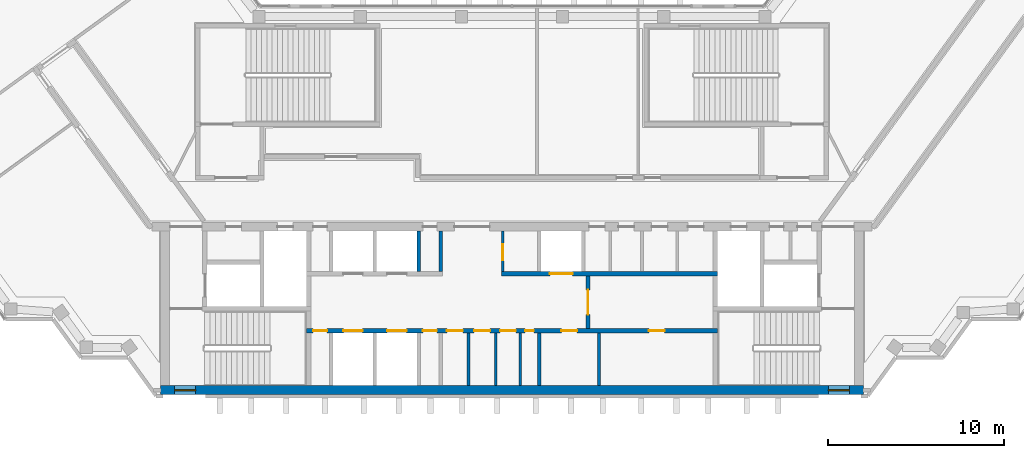
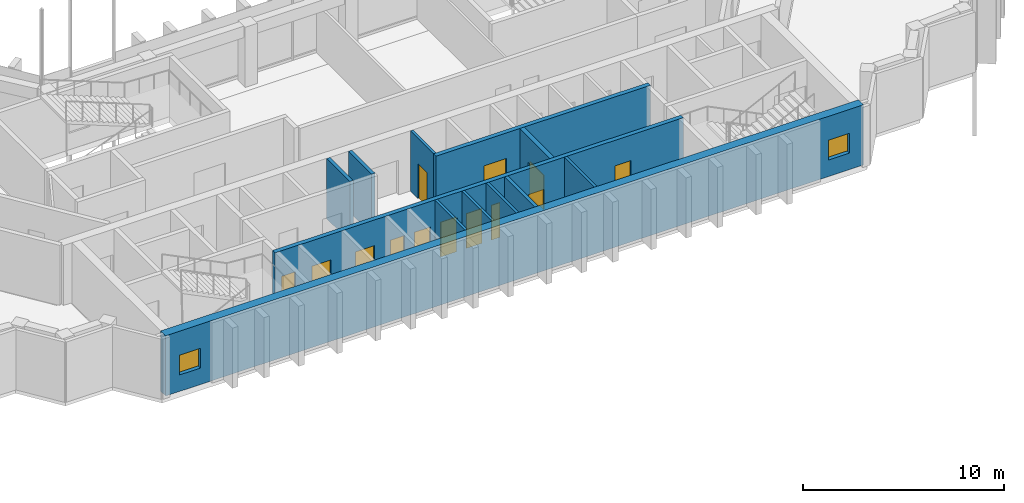
# One storey, part 9 of 13: 13 doors, 12 walls, 2 windows, 15 openings.
"""IFC4 building model written with IfcOpenShell, lengths in metres."""

from ifc_helpers import new_model, si_unit, direction, frame, frame_2d, origin, place, context, subcontext, project, spatial, rectangle, extrude, material, layer, layer_set, type_object, element, fill, save


model = new_model("IFC4")

# Units and contexts
model_context = context("Model", 3, precision=1e-05, world=origin(), true_north=direction((0.0, 1.0)))
body_context = subcontext(model_context, "Body", "Model", "MODEL_VIEW")
ifc_project = project(units=[si_unit("LENGTHUNIT", "METRE"), si_unit("AREAUNIT", "SQUARE_METRE"), si_unit("VOLUMEUNIT", "CUBIC_METRE"), si_unit("PLANEANGLEUNIT", "RADIAN"), si_unit("MASSUNIT", "GRAM", prefix="KILO")], contexts=[model_context])

# Site, building, storey
site_placement = place(None, origin())
site = spatial("IfcSite", under=ifc_project, at=site_placement, CompositionType="ELEMENT")
building_placement = place(site_placement, origin())
building = spatial("IfcBuilding", under=site, at=building_placement, Name="Quipu Civic Tower", CompositionType="ELEMENT")
storey_placement = place(building_placement, frame((0.0, 0.0, 285.0)))
storey = spatial("IfcBuildingStorey", under=building, at=storey_placement, Name="L66", CompositionType="ELEMENT", Elevation=285.0)

# Wall, openings, doors
ifc_material_1 = material(Name="Concrete C70/85", Category="concrete")
ifc_layer_1 = layer(ifc_material_1, 0.25)
ifc_layer_set_1 = layer_set([ifc_layer_1], Name="Concrete C70/85")
wall_type_1 = type_object("IfcWallType", Name="Core wall 250", PredefinedType="SHEAR", material=ifc_layer_set_1)
wall_1_placement = place(storey_placement, frame((11.699951171875, -7.375, 0.0), z_axis=(0.0, 0.0, 1.0), x_axis=(-1.0, 0.0, 0.0)))
wall_1 = element("IfcWall", 1, at=wall_1_placement, inside=storey, type_object=wall_type_1, Name="Core wall", PredefinedType="SHEAR", context=body_context, shape_type="SweptSolid", body=[
    extrude(rectangle(XDim=23.39990234375, YDim=0.25, at=frame_2d((11.699951171875, 0.0))), origin(), (0.0, 0.0, 1.0), 3.64990234375),
])
opening_1_placement = place(wall_1_placement, frame((22.22509765625, 0.0, 0.0)))
opening_1 = element("IfcOpeningElement", 2, at=opening_1_placement, cuts=wall_1, Name="Opening CD-01", PredefinedType="OPENING", context=body_context, shape_type="SweptSolid", body=[
    extrude(rectangle(XDim=0.800048828125, YDim=2.10009765625, at=frame_2d((0.39990234375, 1.050048828125))), frame((0.0, 0.135009765625, 0.0), z_axis=(0.0, -1.0, 0.0), x_axis=(1.0, 0.0, 0.0)), (0.0, 0.0, 1.0), 0.27001953125),
])
opening_2_placement = place(wall_1_placement, frame((20.199951171875, 0.0, 0.0)))
opening_2 = element("IfcOpeningElement", 3, at=opening_2_placement, cuts=wall_1, Name="Opening LD-HL1", PredefinedType="OPENING", context=body_context, shape_type="SweptSolid", body=[
    extrude(rectangle(XDim=1.10009765625, YDim=2.10009765625, at=frame_2d((0.550048828125, 1.050048828125))), frame((0.0, 0.135009765625, 0.0), z_axis=(0.0, -1.0, 0.0), x_axis=(1.0, 0.0, 0.0)), (0.0, 0.0, 1.0), 0.27001953125),
])
opening_3_placement = place(wall_1_placement, frame((17.699951171875, 0.0, 0.0)))
opening_3 = element("IfcOpeningElement", 4, at=opening_3_placement, cuts=wall_1, Name="Opening LD-HL2", PredefinedType="OPENING", context=body_context, shape_type="SweptSolid", body=[
    extrude(rectangle(XDim=1.10009765625, YDim=2.10009765625, at=frame_2d((0.550048828125, 1.050048828125))), frame((0.0, 0.135009765625, 0.0), z_axis=(0.0, -1.0, 0.0), x_axis=(1.0, 0.0, 0.0)), (0.0, 0.0, 1.0), 0.27001953125),
])
opening_4_placement = place(wall_1_placement, frame((15.97509765625, 0.0, 0.0)))
opening_4 = element("IfcOpeningElement", 5, at=opening_4_placement, cuts=wall_1, Name="Opening CD-02", PredefinedType="OPENING", context=body_context, shape_type="SweptSolid", body=[
    extrude(rectangle(XDim=0.800048828125, YDim=2.10009765625, at=frame_2d((0.39990234375, 1.050048828125))), frame((0.0, 0.135009765625, 0.0), z_axis=(0.0, -1.0, 0.0), x_axis=(1.0, 0.0, 0.0)), (0.0, 0.0, 1.0), 0.27001953125),
])
opening_5_placement = place(wall_1_placement, frame((14.5, 0.0, 0.0)))
opening_5 = element("IfcOpeningElement", 6, at=opening_5_placement, cuts=wall_1, Name="Opening CD-03", PredefinedType="OPENING", context=body_context, shape_type="SweptSolid", body=[
    extrude(rectangle(XDim=0.89990234375, YDim=2.10009765625, at=frame_2d((0.449951171875, 1.050048828125))), frame((0.0, 0.135009765625, 0.0), z_axis=(0.0, -1.0, 0.0), x_axis=(1.0, 0.0, 0.0)), (0.0, 0.0, 1.0), 0.27001953125),
])
opening_6_placement = place(wall_1_placement, frame((12.949951171875, 0.0, 0.0)))
opening_6 = element("IfcOpeningElement", 7, at=opening_6_placement, cuts=wall_1, Name="Opening CD-04", PredefinedType="OPENING", context=body_context, shape_type="SweptSolid", body=[
    extrude(rectangle(XDim=0.89990234375, YDim=2.10009765625, at=frame_2d((0.449951171875, 1.050048828125))), frame((0.0, 0.135009765625, 0.0), z_axis=(0.0, -1.0, 0.0), x_axis=(1.0, 0.0, 0.0)), (0.0, 0.0, 1.0), 0.27001953125),
])
opening_7_placement = place(wall_1_placement, frame((11.47509765625, 0.0, 0.0)))
opening_7 = element("IfcOpeningElement", 8, at=opening_7_placement, cuts=wall_1, Name="Opening CD-05", PredefinedType="OPENING", context=body_context, shape_type="SweptSolid", body=[
    extrude(rectangle(XDim=0.89990234375, YDim=2.10009765625, at=frame_2d((0.449951171875, 1.050048828125))), frame((0.0, 0.135009765625, 0.0), z_axis=(0.0, -1.0, 0.0), x_axis=(1.0, 0.0, 0.0)), (0.0, 0.0, 1.0), 0.27001953125),
])
opening_8_placement = place(wall_1_placement, frame((10.449951171875, 0.0, 0.0)))
opening_8 = element("IfcOpeningElement", 9, at=opening_8_placement, cuts=wall_1, Name="Opening CD-06", PredefinedType="OPENING", context=body_context, shape_type="SweptSolid", body=[
    extrude(rectangle(XDim=0.5, YDim=2.10009765625, at=frame_2d((0.25, 1.050048828125))), frame((0.0, 0.135009765625, 0.0), z_axis=(0.0, -1.0, 0.0), x_axis=(1.0, 0.0, 0.0)), (0.0, 0.0, 1.0), 0.27001953125),
])
opening_9_placement = place(wall_1_placement, frame((7.987060546875, 0.0, 0.0)))
opening_9 = element("IfcOpeningElement", 10, at=opening_9_placement, cuts=wall_1, Name="Opening CD-07", PredefinedType="OPENING", context=body_context, shape_type="SweptSolid", body=[
    extrude(rectangle(XDim=0.89990234375, YDim=2.10009765625, at=frame_2d((0.449951171875, 1.050048828125))), frame((0.0, 0.135009765625, 0.0), z_axis=(0.0, -1.0, 0.0), x_axis=(1.0, 0.0, 0.0)), (0.0, 0.0, 1.0), 0.27001953125),
])
opening_10_placement = place(wall_1_placement, frame((3.011962890625, 0.0, 0.0)))
opening_10 = element("IfcOpeningElement", 11, at=opening_10_placement, cuts=wall_1, Name="Opening CD-08", PredefinedType="OPENING", context=body_context, shape_type="SweptSolid", body=[
    extrude(rectangle(XDim=0.89990234375, YDim=2.10009765625, at=frame_2d((0.449951171875, 1.050048828125))), frame((0.0, 0.135009765625, 0.0), z_axis=(0.0, -1.0, 0.0), x_axis=(1.0, 0.0, 0.0)), (0.0, 0.0, 1.0), 0.27001953125),
])
ifc_material_2 = material(Name="Fire rated steel door", Category="steel")
door_type_1 = type_object("IfcDoorType", Name="Fire door FD60 500 x 2100", OperationType="NOTDEFINED", PredefinedType="DOOR", material=ifc_material_2)
door_1_placement = place(opening_8_placement, origin())
door_1 = element("IfcDoor", 12, at=door_1_placement, inside=storey, type_object=door_type_1, Name="Door", OperationType="SINGLE_SWING_LEFT", OverallHeight=2.10009765625, OverallWidth=0.5, PredefinedType="DOOR", context=body_context, shape_type="SweptSolid", body=[
    extrude(rectangle(XDim=0.5, YDim=2.10009765625, at=frame_2d((0.25, 1.050048828125))), frame((0.0, 0.02490234375, 0.0), z_axis=(0.0, -1.0, 0.0), x_axis=(1.0, 0.0, 0.0)), (0.0, 0.0, 1.0), 0.050048828125),
])
fill(opening_8, door_1)
ifc_material_3 = material(Name="Fire rated steel door", Category="steel")
door_type_2 = type_object("IfcDoorType", Name="Fire door FD60 800 x 2100", OperationType="NOTDEFINED", PredefinedType="DOOR", material=ifc_material_3)
door_2_placement = place(opening_1_placement, origin())
door_2 = element("IfcDoor", 13, at=door_2_placement, inside=storey, type_object=door_type_2, Name="Door", OperationType="SINGLE_SWING_RIGHT", OverallHeight=2.10009765625, OverallWidth=0.800048828125, PredefinedType="DOOR", context=body_context, shape_type="SweptSolid", body=[
    extrude(rectangle(XDim=0.800048828125, YDim=2.10009765625, at=frame_2d((0.39990234375, 1.050048828125))), frame((0.0, 0.02490234375, 0.0), z_axis=(0.0, -1.0, 0.0), x_axis=(1.0, 0.0, 0.0)), (0.0, 0.0, 1.0), 0.050048828125),
])
fill(opening_1, door_2)
door_3_placement = place(opening_4_placement, origin())
door_3 = element("IfcDoor", 14, at=door_3_placement, inside=storey, type_object=door_type_2, Name="Door", OperationType="SINGLE_SWING_RIGHT", OverallHeight=2.10009765625, OverallWidth=0.800048828125, PredefinedType="DOOR", context=body_context, shape_type="SweptSolid", body=[
    extrude(rectangle(XDim=0.800048828125, YDim=2.10009765625, at=frame_2d((0.39990234375, 1.050048828125))), frame((0.0, 0.02490234375, 0.0), z_axis=(0.0, -1.0, 0.0), x_axis=(1.0, 0.0, 0.0)), (0.0, 0.0, 1.0), 0.050048828125),
])
fill(opening_4, door_3)
ifc_material_4 = material(Name="Fire rated steel door", Category="steel")
door_type_3 = type_object("IfcDoorType", Name="Fire door FD60 900 x 2100", OperationType="NOTDEFINED", PredefinedType="DOOR", material=ifc_material_4)
door_4_placement = place(opening_5_placement, origin())
door_4 = element("IfcDoor", 15, at=door_4_placement, inside=storey, type_object=door_type_3, Name="WC door", OperationType="SINGLE_SWING_RIGHT", OverallHeight=2.10009765625, OverallWidth=0.89990234375, PredefinedType="DOOR", context=body_context, shape_type="SweptSolid", body=[
    extrude(rectangle(XDim=0.89990234375, YDim=2.10009765625, at=frame_2d((0.449951171875, 1.050048828125))), frame((0.0, 0.02490234375, 0.0), z_axis=(0.0, -1.0, 0.0), x_axis=(1.0, 0.0, 0.0)), (0.0, 0.0, 1.0), 0.050048828125),
])
fill(opening_5, door_4)
door_5_placement = place(opening_6_placement, origin())
door_5 = element("IfcDoor", 16, at=door_5_placement, inside=storey, type_object=door_type_3, Name="WC door", OperationType="SINGLE_SWING_RIGHT", OverallHeight=2.10009765625, OverallWidth=0.89990234375, PredefinedType="DOOR", context=body_context, shape_type="SweptSolid", body=[
    extrude(rectangle(XDim=0.89990234375, YDim=2.10009765625, at=frame_2d((0.449951171875, 1.050048828125))), frame((0.0, 0.02490234375, 0.0), z_axis=(0.0, -1.0, 0.0), x_axis=(1.0, 0.0, 0.0)), (0.0, 0.0, 1.0), 0.050048828125),
])
fill(opening_6, door_5)
door_6_placement = place(opening_7_placement, origin())
door_6 = element("IfcDoor", 17, at=door_6_placement, inside=storey, type_object=door_type_3, Name="WC door", OperationType="SINGLE_SWING_RIGHT", OverallHeight=2.10009765625, OverallWidth=0.89990234375, PredefinedType="DOOR", context=body_context, shape_type="SweptSolid", body=[
    extrude(rectangle(XDim=0.89990234375, YDim=2.10009765625, at=frame_2d((0.449951171875, 1.050048828125))), frame((0.0, 0.02490234375, 0.0), z_axis=(0.0, -1.0, 0.0), x_axis=(1.0, 0.0, 0.0)), (0.0, 0.0, 1.0), 0.050048828125),
])
fill(opening_7, door_6)
door_7_placement = place(opening_9_placement, origin())
door_7 = element("IfcDoor", 18, at=door_7_placement, inside=storey, type_object=door_type_3, Name="Door", OperationType="SINGLE_SWING_LEFT", OverallHeight=2.10009765625, OverallWidth=0.89990234375, PredefinedType="DOOR", context=body_context, shape_type="SweptSolid", body=[
    extrude(rectangle(XDim=0.89990234375, YDim=2.10009765625, at=frame_2d((0.449951171875, 1.050048828125))), frame((0.0, 0.02490234375, 0.0), z_axis=(0.0, -1.0, 0.0), x_axis=(1.0, 0.0, 0.0)), (0.0, 0.0, 1.0), 0.050048828125),
])
fill(opening_9, door_7)
door_8_placement = place(opening_10_placement, origin())
door_8 = element("IfcDoor", 19, at=door_8_placement, inside=storey, type_object=door_type_3, Name="Door", OperationType="SINGLE_SWING_LEFT", OverallHeight=2.10009765625, OverallWidth=0.89990234375, PredefinedType="DOOR", context=body_context, shape_type="SweptSolid", body=[
    extrude(rectangle(XDim=0.89990234375, YDim=2.10009765625, at=frame_2d((0.449951171875, 1.050048828125))), frame((0.0, 0.02490234375, 0.0), z_axis=(0.0, -1.0, 0.0), x_axis=(1.0, 0.0, 0.0)), (0.0, 0.0, 1.0), 0.050048828125),
])
fill(opening_10, door_8)
ifc_material_5 = material(Name="Stainless steel", Category="steel")
door_type_4 = type_object("IfcDoorType", Name="Lift landing door 1100 x 2100", OperationType="DOUBLE_DOOR_SLIDING", PredefinedType="DOOR", material=ifc_material_5)
door_9_placement = place(opening_2_placement, origin())
door_9 = element("IfcDoor", 20, at=door_9_placement, inside=storey, type_object=door_type_4, Name="Landing door HL1", OperationType="DOUBLE_DOOR_SLIDING", OverallHeight=2.10009765625, OverallWidth=1.10009765625, PredefinedType="DOOR", context=body_context, shape_type="SweptSolid", body=[
    extrude(rectangle(XDim=1.10009765625, YDim=2.10009765625, at=frame_2d((0.550048828125, 1.050048828125))), frame((0.0, 0.02490234375, 0.0), z_axis=(0.0, -1.0, 0.0), x_axis=(1.0, 0.0, 0.0)), (0.0, 0.0, 1.0), 0.050048828125),
])
fill(opening_2, door_9)
door_10_placement = place(opening_3_placement, origin())
door_10 = element("IfcDoor", 21, at=door_10_placement, inside=storey, type_object=door_type_4, Name="Landing door HL2", OperationType="DOUBLE_DOOR_SLIDING", OverallHeight=2.10009765625, OverallWidth=1.10009765625, PredefinedType="DOOR", context=body_context, shape_type="SweptSolid", body=[
    extrude(rectangle(XDim=1.10009765625, YDim=2.10009765625, at=frame_2d((0.550048828125, 1.050048828125))), frame((0.0, 0.02490234375, 0.0), z_axis=(0.0, -1.0, 0.0), x_axis=(1.0, 0.0, 0.0)), (0.0, 0.0, 1.0), 0.050048828125),
])
fill(opening_3, door_10)

# Wall, opening, door
wall_2_placement = place(storey_placement, frame((4.324951171875, -7.25, 0.0), z_axis=(0.0, 0.0, 1.0), x_axis=(0.0, 1.0, 0.0)))
wall_2 = element("IfcWall", 22, at=wall_2_placement, inside=storey, type_object=wall_type_1, Name="Core wall", PredefinedType="SHEAR", context=body_context, shape_type="SweptSolid", body=[
    extrude(rectangle(XDim=3.0, YDim=0.25, at=frame_2d((1.5, 0.0))), origin(), (0.0, 0.0, 1.0), 3.64990234375),
])
opening_11_placement = place(wall_2_placement, frame((0.800048828125, 0.0, 0.0)))
opening_11 = element("IfcOpeningElement", 23, at=opening_11_placement, cuts=wall_2, Name="Opening CD-11", PredefinedType="OPENING", context=body_context, shape_type="SweptSolid", body=[
    extrude(rectangle(XDim=1.39990234375, YDim=2.10009765625, at=frame_2d((0.699951171875, 1.050048828125))), frame((0.0, 0.135009765625, 0.0), z_axis=(0.0, -1.0, 0.0), x_axis=(1.0, 0.0, 0.0)), (0.0, 0.0, 1.0), 0.27001953125),
])
ifc_material_6 = material(Name="Fire rated steel door", Category="steel")
door_type_5 = type_object("IfcDoorType", Name="Fire door FD60 double 1400 x 2100", OperationType="NOTDEFINED", PredefinedType="DOOR", material=ifc_material_6)
door_11_placement = place(opening_11_placement, origin())
door_11 = element("IfcDoor", 24, at=door_11_placement, inside=storey, type_object=door_type_5, Name="Hall door", OperationType="DOUBLE_DOOR_SINGLE_SWING", OverallHeight=2.10009765625, OverallWidth=1.39990234375, PredefinedType="DOOR", context=body_context, shape_type="SweptSolid", body=[
    extrude(rectangle(XDim=1.39990234375, YDim=2.10009765625, at=frame_2d((0.699951171875, 1.050048828125))), frame((0.0, 0.02490234375, 0.0), z_axis=(0.0, -1.0, 0.0), x_axis=(1.0, 0.0, 0.0)), (0.0, 0.0, 1.0), 0.050048828125),
])
fill(opening_11, door_11)

wall_3_placement = place(storey_placement, frame((-0.60009765625, -4.125, 0.0), z_axis=(0.0, 0.0, 1.0), x_axis=(1.0, 0.0, 0.0)))
wall_3 = element("IfcWall", 25, at=wall_3_placement, inside=storey, type_object=wall_type_1, Name="Core wall", PredefinedType="SHEAR", context=body_context, shape_type="SweptSolid", body=[
    extrude(rectangle(XDim=12.300048828125, YDim=0.25, at=frame_2d((6.14990234375, 0.0))), origin(), (0.0, 0.0, 1.0), 3.64990234375),
])
opening_12_placement = place(wall_3_placement, frame((2.75, 0.0, 0.0)))
opening_12 = element("IfcOpeningElement", 26, at=opening_12_placement, cuts=wall_3, Name="Opening LD-FF3", PredefinedType="OPENING", context=body_context, shape_type="SweptSolid", body=[
    extrude(rectangle(XDim=1.300048828125, YDim=2.10009765625, at=frame_2d((0.64990234375, 1.050048828125))), frame((0.0, 0.135009765625, 0.0), z_axis=(0.0, -1.0, 0.0), x_axis=(1.0, 0.0, 0.0)), (0.0, 0.0, 1.0), 0.27001953125),
])
ifc_material_7 = material(Name="Stainless steel", Category="steel")
door_type_6 = type_object("IfcDoorType", Name="Lift landing door 1300 x 2100", OperationType="DOUBLE_DOOR_SLIDING", PredefinedType="DOOR", material=ifc_material_7)
door_12_placement = place(opening_12_placement, origin())
door_12 = element("IfcDoor", 27, at=door_12_placement, inside=storey, type_object=door_type_6, Name="Landing door FF3", OperationType="DOUBLE_DOOR_SLIDING", OverallHeight=2.10009765625, OverallWidth=1.300048828125, PredefinedType="DOOR", context=body_context, shape_type="SweptSolid", body=[
    extrude(rectangle(XDim=1.300048828125, YDim=2.10009765625, at=frame_2d((0.64990234375, 1.050048828125))), frame((0.0, 0.02490234375, 0.0), z_axis=(0.0, -1.0, 0.0), x_axis=(1.0, 0.0, 0.0)), (0.0, 0.0, 1.0), 0.050048828125),
])
fill(opening_12, door_12)

# Wall, openings, windows
ifc_material_8 = material(Name="Concrete C70/85", Category="concrete")
ifc_layer_2 = layer(ifc_material_8, 0.5)
ifc_layer_set_2 = layer_set([ifc_layer_2], Name="Concrete C70/85")
wall_type_2 = type_object("IfcWallType", Name="Core wall 500", PredefinedType="SHEAR", material=ifc_layer_set_2)
wall_4_placement = place(storey_placement, frame((-20.0, -10.75, 0.0), z_axis=(0.0, 0.0, 1.0), x_axis=(1.0, 0.0, 0.0)))
wall_4 = element("IfcWall", 28, at=wall_4_placement, inside=storey, type_object=wall_type_2, Name="Core wall", PredefinedType="SHEAR", context=body_context, shape_type="SweptSolid", body=[
    extrude(rectangle(XDim=40.0, YDim=0.5, at=frame_2d((20.0, 0.0))), origin(), (0.0, 0.0, 1.0), 3.64990234375),
])
opening_13_placement = place(wall_4_placement, frame((0.800048828125, 0.0, 1.0)))
opening_13 = element("IfcOpeningElement", 29, at=opening_13_placement, cuts=wall_4, Name="Opening SV-1", PredefinedType="OPENING", context=body_context, shape_type="SweptSolid", body=[
    extrude(rectangle(XDim=1.199951171875, YDim=1.199951171875, at=frame_2d((0.60009765625, 0.60009765625))), frame((0.0, 0.260009765625, 0.0), z_axis=(0.0, -1.0, 0.0), x_axis=(1.0, 0.0, 0.0)), (0.0, 0.0, 1.0), 0.52001953125),
])
opening_14_placement = place(wall_4_placement, frame((38.0, 0.0, 1.0)))
opening_14 = element("IfcOpeningElement", 30, at=opening_14_placement, cuts=wall_4, Name="Opening SV-2", PredefinedType="OPENING", context=body_context, shape_type="SweptSolid", body=[
    extrude(rectangle(XDim=1.199951171875, YDim=1.199951171875, at=frame_2d((0.60009765625, 0.60009765625))), frame((0.0, 0.260009765625, 0.0), z_axis=(0.0, -1.0, 0.0), x_axis=(1.0, 0.0, 0.0)), (0.0, 0.0, 1.0), 0.52001953125),
])
ifc_material_9 = material(Name="Aluminium louvre", Category="aluminium")
window_type = type_object("IfcWindowType", Name="Stair ventilation louvre 1200 x 1200", PartitioningType="SINGLE_PANEL", PredefinedType="WINDOW", material=ifc_material_9)
window_1_placement = place(opening_13_placement, origin())
window_1 = element("IfcWindow", 31, at=window_1_placement, inside=storey, type_object=window_type, Name="Stair ventilation opening", OverallHeight=1.199951171875, OverallWidth=1.199951171875, PartitioningType="SINGLE_PANEL", PredefinedType="WINDOW", context=body_context, shape_type="SweptSolid", body=[
    extrude(rectangle(XDim=1.199951171875, YDim=1.199951171875, at=frame_2d((0.60009765625, 0.60009765625))), frame((0.0, 0.030029296875, 0.0), z_axis=(0.0, -1.0, 0.0), x_axis=(1.0, 0.0, 0.0)), (0.0, 0.0, 1.0), 0.06005859375),
])
fill(opening_13, window_1)
window_2_placement = place(opening_14_placement, origin())
window_2 = element("IfcWindow", 32, at=window_2_placement, inside=storey, type_object=window_type, Name="Stair ventilation opening", OverallHeight=1.199951171875, OverallWidth=1.199951171875, PartitioningType="SINGLE_PANEL", PredefinedType="WINDOW", context=body_context, shape_type="SweptSolid", body=[
    extrude(rectangle(XDim=1.199951171875, YDim=1.199951171875, at=frame_2d((0.60009765625, 0.60009765625))), frame((0.0, 0.030029296875, 0.0), z_axis=(0.0, -1.0, 0.0), x_axis=(1.0, 0.0, 0.0)), (0.0, 0.0, 1.0), 0.06005859375),
])
fill(opening_14, window_2)

# Walls
ifc_material_10 = material(Name="Gypsum board partition")
ifc_layer_3 = layer(ifc_material_10, 0.14990234375)
ifc_layer_set_3 = layer_set([ifc_layer_3], Name="Gypsum board partition")
wall_type_3 = type_object("IfcWallType", Name="Partition 150", PredefinedType="PARTITIONING", material=ifc_layer_set_3)
for number, where, z_axis, x_axis, name in (
    (33, (-2.47509765625, -10.5, 0.0), (0.0, 0.0, 1.0), (0.0, 1.0, 0.0), "Partition"),
    (34, (-0.925048828125, -10.5, 0.0), (0.0, 0.0, 1.0), (0.0, 1.0, 0.0), "Partition"),
    (35, (0.47509765625, -10.5, 0.0), (0.0, 0.0, 1.0), (0.0, 1.0, 0.0), "Partition"),
    (36, (4.949951171875, -10.5, 0.0), (0.0, 0.0, 1.0), (0.0, 1.0, 0.0), "Partition"),
):
    element("IfcWall", number, at=place(storey_placement, frame(where, z_axis=z_axis, x_axis=x_axis)), inside=storey, type_object=wall_type_3, Name=name, PredefinedType="PARTITIONING", context=body_context, shape_type="SweptSolid", body=[
        extrude(rectangle(XDim=3.0, YDim=0.14990234375, at=frame_2d((1.5, 0.0))), origin(), (0.0, 0.0, 1.0), 3.64990234375),
    ])

# Wall, opening, door
wall_5_placement = place(storey_placement, frame((-0.52490234375, -4.0, 0.0), z_axis=(0.0, 0.0, 1.0), x_axis=(0.0, 1.0, 0.0)))
wall_5 = element("IfcWall", 37, at=wall_5_placement, inside=storey, type_object=wall_type_3, Name="Partition", PredefinedType="PARTITIONING", context=body_context, shape_type="SweptSolid", body=[
    extrude(rectangle(XDim=2.300048828125, YDim=0.14990234375, at=frame_2d((1.14990234375, 0.0))), origin(), (0.0, 0.0, 1.0), 3.64990234375),
])
opening_15_placement = place(wall_5_placement, frame((0.64990234375, 0.0, 0.0)))
opening_15 = element("IfcOpeningElement", 38, at=opening_15_placement, cuts=wall_5, Name="Opening CD-12", PredefinedType="OPENING", context=body_context, shape_type="SweptSolid", body=[
    extrude(rectangle(XDim=0.89990234375, YDim=2.10009765625, at=frame_2d((0.449951171875, 1.050048828125))), frame((0.0, 0.0849609375, 0.0), z_axis=(0.0, -1.0, 0.0), x_axis=(1.0, 0.0, 0.0)), (0.0, 0.0, 1.0), 0.169921875),
])
door_13_placement = place(opening_15_placement, origin())
door_13 = element("IfcDoor", 39, at=door_13_placement, inside=storey, type_object=door_type_3, Name="WC door", OperationType="SINGLE_SWING_LEFT", OverallHeight=2.10009765625, OverallWidth=0.89990234375, PredefinedType="DOOR", context=body_context, shape_type="SweptSolid", body=[
    extrude(rectangle(XDim=0.89990234375, YDim=2.10009765625, at=frame_2d((0.449951171875, 1.050048828125))), frame((0.0, 0.02490234375, 0.0), z_axis=(0.0, -1.0, 0.0), x_axis=(1.0, 0.0, 0.0)), (0.0, 0.0, 1.0), 0.050048828125),
])
fill(opening_15, door_13)

# Walls
ifc_material_11 = material(Name="Concrete C40/50", Category="concrete")
ifc_layer_4 = layer(ifc_material_11, 0.199951171875)
ifc_layer_set_4 = layer_set([ifc_layer_4], Name="Concrete C40/50")
wall_type_4 = type_object("IfcWallType", Name="Shaft wall 200", PredefinedType="SOLIDWALL", material=ifc_layer_set_4)
wall_6_placement = place(storey_placement, frame((1.550048828125, -10.5, 0.0), z_axis=(0.0, 0.0, 1.0), x_axis=(0.0, 1.0, 0.0)))
element("IfcWall", 40, at=wall_6_placement, inside=storey, type_object=wall_type_4, Name="Shaft wall", PredefinedType="SOLIDWALL", context=body_context, shape_type="SweptSolid", body=[
    extrude(rectangle(XDim=3.0, YDim=0.199951171875, at=frame_2d((1.5, 0.0))), origin(), (0.0, 0.0, 1.0), 3.64990234375),
])
for number, where, z_axis, x_axis, name in (
    (41, (-5.300048828125, -4.0, 0.0), (0.0, 0.0, 1.0), (0.0, 1.0, 0.0), "Shaft wall"),
    (42, (-4.050048828125, -4.0, 0.0), (0.0, 0.0, 1.0), (0.0, 1.0, 0.0), "Shaft wall"),
):
    element("IfcWall", number, at=place(storey_placement, frame(where, z_axis=z_axis, x_axis=x_axis)), inside=storey, type_object=wall_type_4, Name=name, PredefinedType="SOLIDWALL", context=body_context, shape_type="SweptSolid", body=[
        extrude(rectangle(XDim=2.300048828125, YDim=0.199951171875, at=frame_2d((1.14990234375, 0.0))), origin(), (0.0, 0.0, 1.0), 3.64990234375),
    ])

save(model, "model.ifc")
